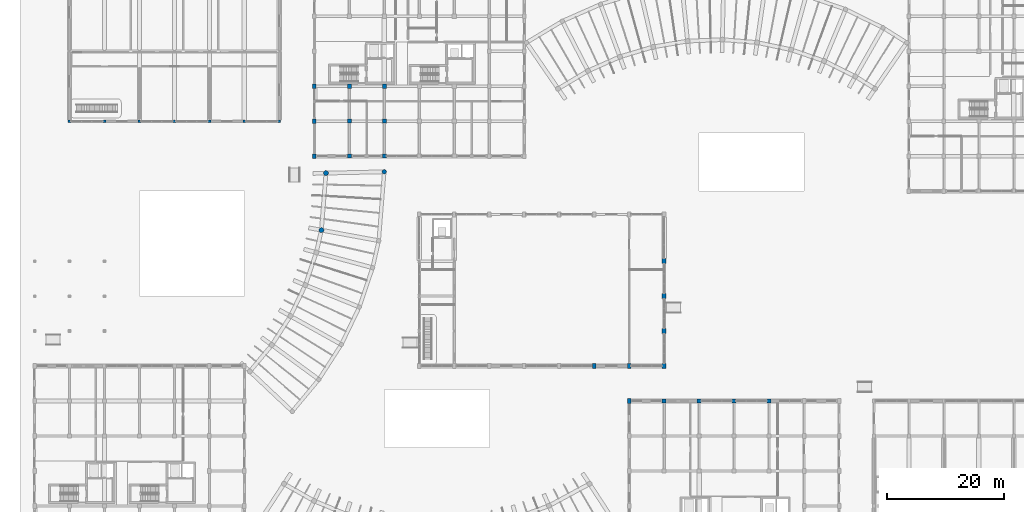
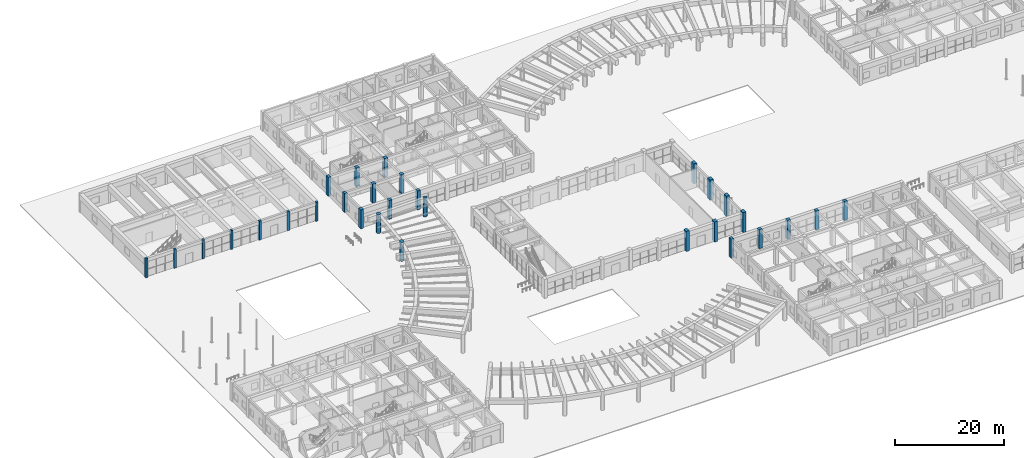
# One storey, part 5 of 76: 30 columns.
"""IFC4 building model written with IfcOpenShell, lengths in metres."""

from ifc_helpers import new_model, si_unit, direction, frame, origin, origin_2d, place, context, subcontext, project, spatial, rectangle, circle, extrude, material, material_profile, profile_set, type_object, element, save


model = new_model("IFC4")

# Units and contexts
model_context = context("Model", 3, precision=1e-05, world=origin(), true_north=direction((0.0, 1.0)))
body_context = subcontext(model_context, "Body", "Model", "MODEL_VIEW")
ifc_project = project(units=[si_unit("LENGTHUNIT", "METRE"), si_unit("AREAUNIT", "SQUARE_METRE"), si_unit("VOLUMEUNIT", "CUBIC_METRE"), si_unit("PLANEANGLEUNIT", "RADIAN"), si_unit("MASSUNIT", "GRAM", prefix="KILO"), si_unit("POWERUNIT", "WATT"), si_unit("THERMODYNAMICTEMPERATUREUNIT", "KELVIN")], contexts=[model_context])

# Site, building, storey
site_placement = place(None, origin())
site = spatial("IfcSite", under=ifc_project, at=site_placement, CompositionType="ELEMENT")
building_placement = place(site_placement, origin())
building = spatial("IfcBuilding", under=site, at=building_placement, Name="Ruvembo Vaulted Housing Court", CompositionType="ELEMENT")
storey_placement = place(building_placement, origin())
storey = spatial("IfcBuildingStorey", under=building, at=storey_placement, Name="L00", CompositionType="ELEMENT", Elevation=0.0)

# Columns
ifc_material_1 = material(Name="Concrete C35/45", Category="concrete")
ifc_material_profile_1 = material_profile(ifc_material_1, rectangle(XDim=0.449951171875, YDim=0.449951171875, at=origin_2d()), Name="RC 450x450")
ifc_profile_set_1 = profile_set([ifc_material_profile_1], Name="Concrete C35/45")
column_type_1 = type_object("IfcColumnType", Name="COL-RC-450", PredefinedType="COLUMN", material=ifc_profile_set_1)
for number, where, z_axis, x_axis, name in (
    (1, (6.0, 84.0, 0.0), (0.0, 0.0, 1.0), (1.0, 0.0, 0.0), "L00 Column (6,84)"),
    (2, (12.0, 84.0, 0.0), (0.0, 0.0, 1.0), (1.0, 0.0, 0.0), "L00 Column (12,84)"),
    (3, (18.0, 84.0, 0.0), (0.0, 0.0, 1.0), (1.0, 0.0, 0.0), "L00 Column (18,84)"),
    (4, (24.0, 84.0, 0.0), (0.0, 0.0, 1.0), (1.0, 0.0, 0.0), "L00 Column (24,84)"),
    (5, (30.0, 84.0, 0.0), (0.0, 0.0, 1.0), (1.0, 0.0, 0.0), "L00 Column (30,84)"),
    (6, (36.0, 84.0, 0.0), (0.0, 0.0, 1.0), (1.0, 0.0, 0.0), "L00 Column (36,84)"),
    (7, (42.0, 84.0, 0.0), (0.0, 0.0, 1.0), (1.0, 0.0, 0.0), "L00 Column (42,84)"),
):
    element("IfcColumn", number, at=place(storey_placement, frame(where, z_axis=z_axis, x_axis=x_axis)), inside=storey, type_object=column_type_1, Name=name, PredefinedType="COLUMN", context=body_context, shape_type="SweptSolid", body=[
        extrude(rectangle(XDim=0.449951171875, YDim=0.449951171875, at=origin_2d()), origin(), (0.0, 0.0, 1.0), 4.22998046875),
    ])
ifc_material_2 = material(Name="Concrete C40/50", Category="concrete")
ifc_material_profile_2 = material_profile(ifc_material_2, rectangle(XDim=0.60009765625, YDim=0.800048828125, at=origin_2d()), Name="RC 600x800")
ifc_profile_set_2 = profile_set([ifc_material_profile_2], Name="Concrete C40/50")
column_type_2 = type_object("IfcColumnType", Name="COL-RC-600x800", PredefinedType="COLUMN", material=ifc_profile_set_2)
for number, where, z_axis, x_axis, name in (
    (8, (48.0, 78.0, 0.0), (0.0, 0.0, 1.0), (1.0, 0.0, 0.0), "L00 Column (48,78)"),
    (9, (48.0, 84.0, 0.0), (0.0, 0.0, 1.0), (1.0, 0.0, 0.0), "L00 Column (48,84)"),
    (10, (48.0, 90.0, 0.0), (0.0, 0.0, 1.0), (1.0, 0.0, 0.0), "L00 Column (48,90)"),
    (11, (102.0, 36.0, 0.0), (0.0, 0.0, 1.0), (1.0, 0.0, 0.0), "L00 Column (102,36)"),
):
    element("IfcColumn", number, at=place(storey_placement, frame(where, z_axis=z_axis, x_axis=x_axis)), inside=storey, type_object=column_type_2, Name=name, PredefinedType="COLUMN", context=body_context, shape_type="SweptSolid", body=[
        extrude(rectangle(XDim=0.60009765625, YDim=0.800048828125, at=origin_2d()), origin(), (0.0, 0.0, 1.0), 4.22998046875),
    ])
ifc_material_profile_3 = material_profile(ifc_material_2, rectangle(XDim=0.64990234375, YDim=0.89990234375, at=origin_2d()), Name="RC 650x900")
ifc_profile_set_3 = profile_set([ifc_material_profile_3], Name="Concrete C40/50")
column_type_3 = type_object("IfcColumnType", Name="COL-RC-650x900", PredefinedType="COLUMN", material=ifc_profile_set_3)
for number, where, z_axis, x_axis, name in (
    (12, (96.0, 42.0, 0.0), (0.0, 0.0, 1.0), (1.0, 0.0, 0.0), "L00 Column (96,42)"),
    (13, (102.0, 42.0, 0.0), (0.0, 0.0, 1.0), (1.0, 0.0, 0.0), "L00 Column (102,42)"),
    (14, (108.0, 42.0, 0.0), (0.0, 0.0, 1.0), (1.0, 0.0, 0.0), "L00 Column (108,42)"),
    (15, (108.0, 48.0, 0.0), (0.0, 0.0, 1.0), (1.0, 0.0, 0.0), "L00 Column (108,48)"),
    (16, (108.0, 54.0, 0.0), (0.0, 0.0, 1.0), (1.0, 0.0, 0.0), "L00 Column (108,54)"),
    (17, (108.0, 60.0, 0.0), (0.0, 0.0, 1.0), (1.0, 0.0, 0.0), "L00 Column (108,60)"),
):
    element("IfcColumn", number, at=place(storey_placement, frame(where, z_axis=z_axis, x_axis=x_axis)), inside=storey, type_object=column_type_3, Name=name, PredefinedType="COLUMN", context=body_context, shape_type="SweptSolid", body=[
        extrude(rectangle(XDim=0.64990234375, YDim=0.89990234375, at=origin_2d()), origin(), (0.0, 0.0, 1.0), 4.5),
    ])
ifc_material_profile_4 = material_profile(ifc_material_2, rectangle(XDim=0.699951171875, YDim=0.699951171875, at=origin_2d()), Name="RC 700x700")
ifc_profile_set_4 = profile_set([ifc_material_profile_4], Name="Concrete C40/50")
column_type_4 = type_object("IfcColumnType", Name="COL-RC-700", PredefinedType="COLUMN", material=ifc_profile_set_4)
for number, where, z_axis, x_axis, name in (
    (18, (54.0, 78.0, 0.0), (0.0, 0.0, 1.0), (1.0, 0.0, 0.0), "L00 Column (54,78)"),
    (19, (54.0, 84.0, 0.0), (0.0, 0.0, 1.0), (1.0, 0.0, 0.0), "L00 Column (54,84)"),
    (20, (54.0, 90.0, 0.0), (0.0, 0.0, 1.0), (1.0, 0.0, 0.0), "L00 Column (54,90)"),
    (21, (60.0, 78.0, 0.0), (0.0, 0.0, 1.0), (1.0, 0.0, 0.0), "L00 Column (60,78)"),
    (22, (60.0, 84.0, 0.0), (0.0, 0.0, 1.0), (1.0, 0.0, 0.0), "L00 Column (60,84)"),
    (23, (60.0, 90.0, 0.0), (0.0, 0.0, 1.0), (1.0, 0.0, 0.0), "L00 Column (60,90)"),
    (24, (108.0, 36.0, 0.0), (0.0, 0.0, 1.0), (1.0, 0.0, 0.0), "L00 Column (108,36)"),
    (25, (114.0, 36.0, 0.0), (0.0, 0.0, 1.0), (1.0, 0.0, 0.0), "L00 Column (114,36)"),
    (26, (120.0, 36.0, 0.0), (0.0, 0.0, 1.0), (1.0, 0.0, 0.0), "L00 Column (120,36)"),
    (27, (126.0, 36.0, 0.0), (0.0, 0.0, 1.0), (1.0, 0.0, 0.0), "L00 Column (126,36)"),
):
    element("IfcColumn", number, at=place(storey_placement, frame(where, z_axis=z_axis, x_axis=x_axis)), inside=storey, type_object=column_type_4, Name=name, PredefinedType="COLUMN", context=body_context, shape_type="SweptSolid", body=[
        extrude(rectangle(XDim=0.699951171875, YDim=0.699951171875, at=origin_2d()), origin(), (0.0, 0.0, 1.0), 4.22998046875),
    ])
ifc_material_profile_5 = material_profile(ifc_material_2, circle(Radius=0.375, at=origin_2d()), Name="RC D750")
ifc_profile_set_5 = profile_set([ifc_material_profile_5], Name="Concrete C40/50")
column_type_5 = type_object("IfcColumnType", Name="PILOTIS-D750", PredefinedType="COLUMN", material=ifc_profile_set_5)
column_placement = place(storey_placement, frame((59.985107421875, 75.3203125, 0.0), z_axis=(0.0, 0.0, 1.0), x_axis=(1.0, 0.0, 0.0)))
element("IfcColumn", 28, at=column_placement, inside=storey, type_object=column_type_5, Name="L00 Scooped Pier CP-SC1-B07", PredefinedType="COLUMN", context=body_context, shape_type="SweptSolid", body=[
    extrude(circle(Radius=0.375, at=origin_2d()), origin(), (0.0, 0.0, 1.0), 4.248046875),
])
ifc_material_profile_6 = material_profile(ifc_material_2, circle(Radius=0.425048828125, at=origin_2d()), Name="RC D850")
ifc_profile_set_6 = profile_set([ifc_material_profile_6], Name="Concrete C40/50")
column_type_6 = type_object("IfcColumnType", Name="PILOTIS-D850", PredefinedType="COLUMN", material=ifc_profile_set_6)
for number, where, z_axis, x_axis, name in (
    (29, (49.206298828125, 65.306396484375, 0.0), (0.0, 0.0, 1.0), (1.0, 0.0, 0.0), "L00 Scooped Pier CP-SC1-F06"),
    (30, (49.987548828125, 75.092529296875, 0.0), (0.0, 0.0, 1.0), (1.0, 0.0, 0.0), "L00 Scooped Pier CP-SC1-F07"),
):
    element("IfcColumn", number, at=place(storey_placement, frame(where, z_axis=z_axis, x_axis=x_axis)), inside=storey, type_object=column_type_6, Name=name, PredefinedType="COLUMN", context=body_context, shape_type="SweptSolid", body=[
        extrude(circle(Radius=0.425048828125, at=origin_2d()), origin(), (0.0, 0.0, 1.0), 4.248046875),
    ])

save(model, "model.ifc")
